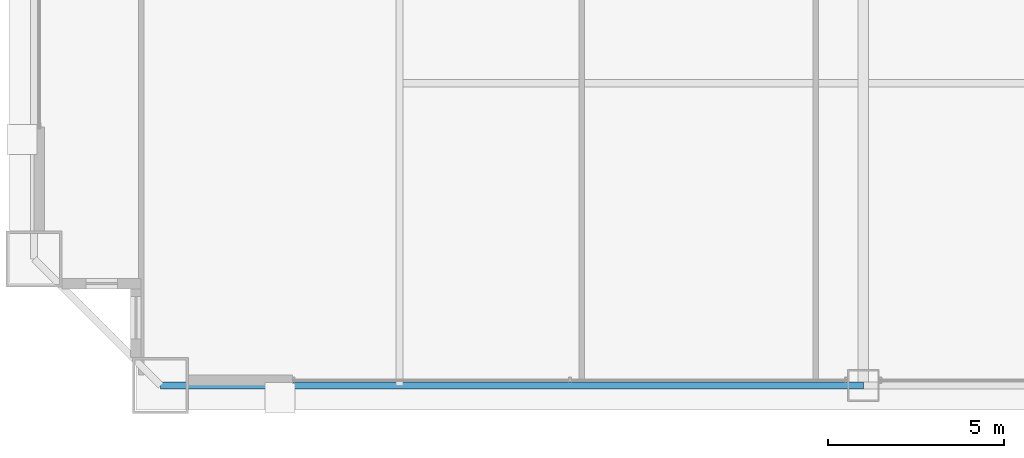
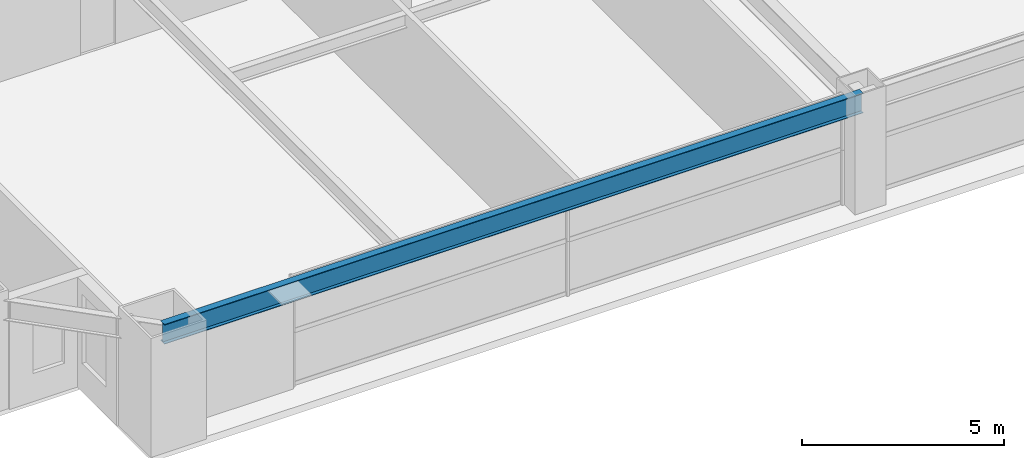
# One storey, part 4 of 38: 1 beam.
"""IFC4 building model written with IfcOpenShell, lengths in metres."""

from ifc_helpers import new_model, si_unit, direction, frame, origin, origin_2d, place, context, subcontext, project, spatial, i_section, extrude, source, transform, mapped, material, material_profile, profile_set, type_object, element, save


model = new_model("IFC4")

# Units and contexts
model_context = context("Model", 3, precision=1e-05, world=origin(), true_north=direction((0.0, 1.0)))
body_context = subcontext(model_context, "Body", "Model", "MODEL_VIEW")
ifc_project = project(units=[si_unit("LENGTHUNIT", "METRE"), si_unit("AREAUNIT", "SQUARE_METRE"), si_unit("VOLUMEUNIT", "CUBIC_METRE"), si_unit("PLANEANGLEUNIT", "RADIAN"), si_unit("MASSUNIT", "GRAM", prefix="KILO"), si_unit("THERMODYNAMICTEMPERATUREUNIT", "KELVIN"), si_unit("POWERUNIT", "WATT")], contexts=[model_context])

# Site, building, storey
site_placement = place(None, origin())
site = spatial("IfcSite", under=ifc_project, at=site_placement, CompositionType="ELEMENT")
building_placement = place(site_placement, origin())
building = spatial("IfcBuilding", under=site, at=building_placement, Name="Yuzanri Waterfront Tower", CompositionType="ELEMENT")
storey_placement = place(building_placement, frame((0.0, 0.0, 126.199951171875)))
storey = spatial("IfcBuildingStorey", under=building, at=storey_placement, Name="L33", CompositionType="ELEMENT", Elevation=126.199951171875)

# Beam
ifc_material = material(Name="Steel Q355B", Category="steel")
ifc_material_profile = material_profile(ifc_material, i_section(OverallWidth=0.199951171875, OverallDepth=0.60009765625, WebThickness=0.010986328125, FlangeThickness=0.01708984375, at=origin_2d()), Name="HN 600x200x11x17")
ifc_profile_set = profile_set([ifc_material_profile], Name="Steel Q355B")
beam_type = type_object("IfcBeamType", Name="Perimeter Spandrel Q355B HN 600x200", PredefinedType="SPANDREL", material=ifc_profile_set)
shared_shape = source(origin(), body_context, "Body", "SweptSolid", [
    extrude(i_section(OverallWidth=0.199951171875, OverallDepth=0.60009765625, WebThickness=0.010986328125, FlangeThickness=0.01708984375, at=origin_2d()), origin(), (0.0, 0.0, 1.0), 20.0),
])
beam_placement = place(storey_placement, frame((17.0, 2.199951171875, 3.02001953125), z_axis=(1.0, 0.0, 0.0), x_axis=(0.0, 1.0, 0.0)))
element("IfcBeam", 1, at=beam_placement, inside=storey, type_object=beam_type, Name="L33 Perimeter Spandrel S1-S2", PredefinedType="SPANDREL", context=body_context, shape_type="MappedRepresentation", body=[
    mapped(shared_shape, transform((0.0, 0.0, 0.0), scale=1.0)),
])

save(model, "model.ifc")
